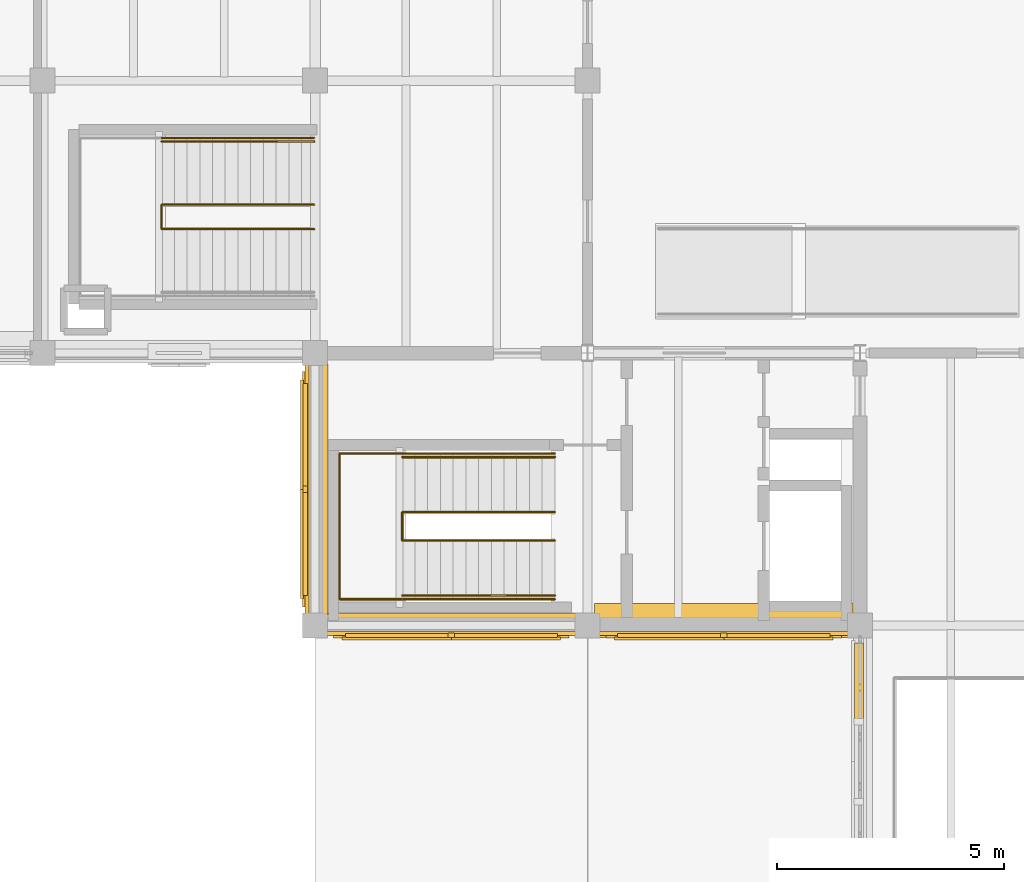
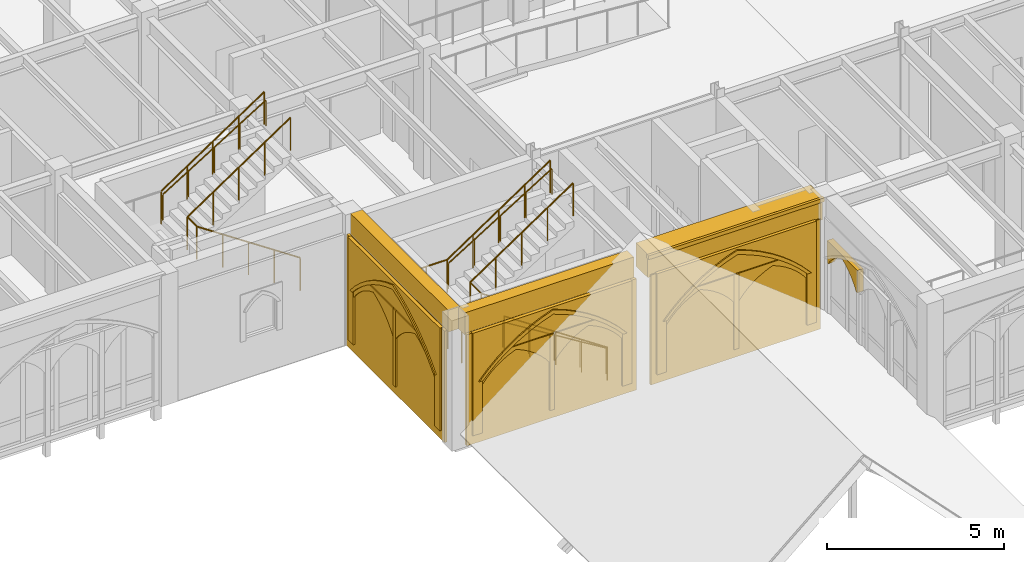
# One storey, part 93 of 108: 23 coverings, 9 railings.
"""IFC4 building model written with IfcOpenShell, lengths in metres."""

import ifcopenshell
import ifcopenshell.guid

model = None  # the IFC model being written
_history = None  # IfcOwnerHistory: only IFC2X3 demands one
_inside = {}  # id of a spatial element -> (the spatial element, [elements in it])
_under = {}  # id of a project, library or spatial element -> (it, [spatial elements below it])
_declared = {}  # id of a project -> (the project, [libraries it declares])
_typed = {}  # id of a type object -> (the type object, [elements of that type])
_made_of = {}  # id of a material, layer set ... -> (it, [elements and type objects made of it])


def new_model(schema):
    """Start an empty IFC model of exactly this schema.

    Asked for "IFC4X3", IfcOpenShell would pick the latest addendum, in which some entities
    have other attributes; the version numbers below select the first issue.
    IFC2X3 requires an IfcOwnerHistory on every rooted entity: one is made here for all.
    """
    global model, _history
    if schema == "IFC4X3":
        model = ifcopenshell.file(schema_version=(4, 3, 0, 0))
    else:
        model = ifcopenshell.file(schema=schema)
    _inside.clear()
    _under.clear()
    _declared.clear()
    _typed.clear()
    _made_of.clear()
    _history = None
    if model.schema == "IFC2X3":
        org = make("IfcOrganization", Name="unknown")
        user = make(
            "IfcPersonAndOrganization",
            ThePerson=make("IfcPerson", FamilyName="unknown"),
            TheOrganization=org,
        )
        app = make(
            "IfcApplication",
            ApplicationDeveloper=org,
            Version="unknown",
            ApplicationFullName="unknown",
            ApplicationIdentifier="unknown",
        )
        _history = make(
            "IfcOwnerHistory",
            OwningUser=user,
            OwningApplication=app,
            ChangeAction="ADDED",
            CreationDate=0,
        )
    return model


def make(cls, **values):
    """One entity of the class cls with the attributes given. An attribute that is None is left unset."""
    return model.create_entity(
        cls, **{name: value for name, value in values.items() if value is not None}
    )


def rooted(cls, **values):
    """An entity with a GlobalId (a new one), such as an element, a storey or a relation."""
    return make(cls, GlobalId=ifcopenshell.guid.new(), OwnerHistory=_history, **values)


def si_unit(unit_type, name, prefix=None):
    """IfcSIUnit, for example si_unit("LENGTHUNIT", "METRE", prefix="MILLI")."""
    return make("IfcSIUnit", UnitType=unit_type, Prefix=prefix, Name=name)


def assignment(units):
    """IfcUnitAssignment: the units of a project."""
    return None if units is None else make("IfcUnitAssignment", Units=units)


def point(xyz):
    """IfcCartesianPoint."""
    return None if xyz is None else make("IfcCartesianPoint", Coordinates=xyz)


def direction(xyz):
    """IfcDirection."""
    return None if xyz is None else make("IfcDirection", DirectionRatios=xyz)


def frame(location, z_axis=None, x_axis=None):
    """IfcAxis2Placement3D, a coordinate frame: its origin and axes. An axis left out is left unset."""
    return make(
        "IfcAxis2Placement3D",
        Location=point(location),
        Axis=direction(z_axis),
        RefDirection=direction(x_axis),
    )


def frame_2d(location, x_axis=None):
    """IfcAxis2Placement2D, a coordinate frame in the plane: its origin and x axis."""
    return make(
        "IfcAxis2Placement2D", Location=point(location), RefDirection=direction(x_axis)
    )


def origin():
    """The frame at (0, 0, 0) with its axes left unset."""
    return frame((0.0, 0.0, 0.0))


def origin_2d():
    """The frame at (0, 0) in the plane with its x axis left unset."""
    return frame_2d((0.0, 0.0))


def place(relative_to, where):
    """IfcLocalPlacement: puts the frame where relative to a parent placement (None: the world)."""
    return make(
        "IfcLocalPlacement", PlacementRelTo=relative_to, RelativePlacement=where
    )


def context(
    kind, dimensions, precision=None, world=None, true_north=None, identifier=None
):
    """IfcGeometricRepresentationContext, for example the 3D "Model" context."""
    return make(
        "IfcGeometricRepresentationContext",
        ContextIdentifier=identifier,
        ContextType=kind,
        CoordinateSpaceDimension=dimensions,
        Precision=precision,
        WorldCoordinateSystem=world,
        TrueNorth=true_north,
    )


def subcontext(parent, identifier, kind, view, scale=None):
    """IfcGeometricRepresentationSubContext, for example "Body" below "Model"."""
    return make(
        "IfcGeometricRepresentationSubContext",
        ContextIdentifier=identifier,
        ContextType=kind,
        ParentContext=parent,
        TargetScale=scale,
        TargetView=view,
    )


def project(units=None, contexts=None):
    """IfcProject with its units and contexts."""
    return rooted(
        "IfcProject",
        Name="project",
        RepresentationContexts=contexts,
        UnitsInContext=assignment(units),
    )


def spatial(cls, under=None, at=None, **own):
    """A site, building, storey or space (cls), placed at a placement, below another one or the project."""
    s = rooted(cls, ObjectPlacement=at, **own)
    if under is not None:
        _under.setdefault(under.id(), (under, []))[1].append(s)
    return s


def polyline(points):
    """IfcPolyline through the points."""
    return make("IfcPolyline", Points=[point(p) for p in points])


def profile(cls, at=None, kind="AREA", **sizes):
    """A parametric profile (cls). Its sizes go by their IFC names, for example OverallWidth=200.0."""
    return make(cls, ProfileType=kind, Position=at, **sizes)


def rectangle(**sizes):
    """IfcRectangleProfileDef."""
    return profile("IfcRectangleProfileDef", **sizes)


def circle(**sizes):
    """IfcCircleProfileDef."""
    return profile("IfcCircleProfileDef", **sizes)


def outline(outer, holes=None, kind="AREA"):
    """IfcArbitraryClosedProfileDef: a profile drawn as a closed curve; with holes, ...WithVoids."""
    if holes is None:
        return make("IfcArbitraryClosedProfileDef", ProfileType=kind, OuterCurve=outer)
    return make(
        "IfcArbitraryProfileDefWithVoids",
        ProfileType=kind,
        OuterCurve=outer,
        InnerCurves=holes,
    )


def extrude(swept, where, along, depth):
    """IfcExtrudedAreaSolid: the profile swept, set in the frame where, extruded along a direction by depth."""
    return make(
        "IfcExtrudedAreaSolid",
        SweptArea=swept,
        Position=where,
        ExtrudedDirection=direction(along),
        Depth=depth,
    )


def shape(context_of_items, identifier, shape_type, items):
    """IfcShapeRepresentation: the items that make up one representation, for example the "Body"."""
    return make(
        "IfcShapeRepresentation",
        ContextOfItems=context_of_items,
        RepresentationIdentifier=identifier,
        RepresentationType=shape_type,
        Items=items,
    )


def material(Name=None, Category=None):
    """IfcMaterial."""
    return make("IfcMaterial", Name=Name, Category=Category)


def made_of(thing, what):
    """Note that an element or type object is made of a material, layer set ...; save() writes the relation."""
    if what is not None:
        _made_of.setdefault(what.id(), (what, []))[1].append(thing)
    return thing


def type_object(cls, material=None, **own):
    """A type object (cls), such as IfcWallType, which elements share."""
    return made_of(rooted(cls, **own), material)


def element(
    cls,
    number,
    at=None,
    inside=None,
    cuts=None,
    type_object=None,
    material=None,
    context=None,
    identifier="Body",
    shape_type=None,
    held_by="IfcProductDefinitionShape",
    body=None,
    shapes=None,
    **own,
):
    """One element of the class cls, such as IfcWall. Its Tag is "e" and its number.

    at: its placement. inside: the storey or other place that contains it. cuts: it is an
    opening in that element (IfcRelVoidsElement). A single representation is given by context,
    identifier, shape_type and body (its items); several are given by shapes. held_by: the class
    of the entity that holds the representations. save() writes the other relations.
    """
    e = rooted(cls, Tag="e%d" % number, ObjectPlacement=at, **own)
    if body is not None:
        shapes = [shape(context, identifier, shape_type, body)]
    if shapes is not None:
        e.Representation = make(held_by, Representations=shapes)
    if inside is not None:
        _inside.setdefault(inside.id(), (inside, []))[1].append(e)
    if cuts is not None:
        rooted(
            "IfcRelVoidsElement", RelatingBuildingElement=cuts, RelatedOpeningElement=e
        )
    if type_object is not None:
        _typed.setdefault(type_object.id(), (type_object, []))[1].append(e)
    return made_of(e, material)


def aggregate(whole, parts):
    """IfcRelAggregates: a whole, such as a stair, and the parts it consists of."""
    return rooted("IfcRelAggregates", RelatingObject=whole, RelatedObjects=parts)


def save(model, path):
    """Write the relations noted so far, then the file.

    IfcRelAggregates (storeys below a building ...), IfcRelContainedInSpatialStructure (elements
    in a storey), IfcRelDefinesByType, IfcRelAssociatesMaterial and IfcRelDeclares: one each for
    every whole, place, type object, material and project.
    """
    for whole, parts in _under.values():
        aggregate(whole, parts)
    for where, things in _inside.values():
        rooted(
            "IfcRelContainedInSpatialStructure",
            RelatedElements=things,
            RelatingStructure=where,
        )
    for kind, things in _typed.values():
        rooted("IfcRelDefinesByType", RelatedObjects=things, RelatingType=kind)
    for what, things in _made_of.values():
        rooted("IfcRelAssociatesMaterial", RelatedObjects=things, RelatingMaterial=what)
    for by, libraries in _declared.values():
        rooted("IfcRelDeclares", RelatingContext=by, RelatedDefinitions=libraries)
    model.write(path)


model = new_model("IFC4")

# Units and contexts
model_context = context("Model", 3, precision=1e-05, world=origin(), true_north=direction((0.0, 1.0)))
body_context = subcontext(model_context, "Body", "Model", "MODEL_VIEW")
ifc_project = project(units=[si_unit("LENGTHUNIT", "METRE"), si_unit("AREAUNIT", "SQUARE_METRE"), si_unit("VOLUMEUNIT", "CUBIC_METRE"), si_unit("PLANEANGLEUNIT", "RADIAN"), si_unit("MASSUNIT", "GRAM", prefix="KILO")], contexts=[model_context])

# Site, building, storey
site_placement = place(None, origin())
site = spatial("IfcSite", under=ifc_project, at=site_placement, CompositionType="ELEMENT")
building_placement = place(site_placement, origin())
building = spatial("IfcBuilding", under=site, at=building_placement, Name="Cumevento Cable Car Station", CompositionType="ELEMENT")
storey_placement = place(building_placement, frame((0.0, 0.0, 13.5)))
storey = spatial("IfcBuildingStorey", under=building, at=storey_placement, Name="L04", CompositionType="ELEMENT", Elevation=13.5)

# Railings
ifc_material_1 = material(Name="Painted Galvanised Architectural Steel", Category="steel")
railing_type_1 = type_object("IfcRailingType", Name="Stair Guardrail GR-S115", PredefinedType="GUARDRAIL", material=ifc_material_1)
railing_1_placement = place(storey_placement, frame((63.280029296875, 40.8701171875, 0.0)))
element("IfcRailing", 1, at=railing_1_placement, inside=storey, type_object=railing_type_1, Name="Stair Well Inner Guardrail ST-01-L04", PredefinedType="GUARDRAIL", context=body_context, shape_type="SweptSolid", body=[
    extrude(circle(Radius=0.02392578125, at=origin_2d()), frame((0.0, 0.0, 1.1259765625), z_axis=(-0.830915400975, 0.0, 0.556398774641), x_axis=(0.0, -1.0, 0.0)), (0.0, 0.0, 1.0), 4.0439453125),
    extrude(circle(Radius=0.02392578125, at=origin_2d()), frame((-3.360107421875, 0.0, 3.3759765625), z_axis=(0.0, 1.0, 0.0), x_axis=(-1.0, 0.0, 0.0)), (0.0, 0.0, 1.0), 0.6298828125),
    extrude(circle(Radius=0.02392578125, at=origin_2d()), frame((-3.360107421875, 0.6298828125, 3.3759765625), z_axis=(0.830915400975, 0.0, 0.556398774641), x_axis=(0.0, 1.0, 0.0)), (0.0, 0.0, 1.0), 4.0439453125),
    extrude(circle(Radius=0.02001953125, at=origin_2d()), origin(), (0.0, 0.0, 1.0), 1.101806640625),
    extrude(circle(Radius=0.02001953125, at=origin_2d()), frame((-0.840087890625, 0.0, 0.5625)), (0.0, 0.0, 1.0), 1.101806640625),
    extrude(circle(Radius=0.02001953125, at=origin_2d()), frame((-1.68017578125, 0.0, 1.125)), (0.0, 0.0, 1.0), 1.101806640625),
    extrude(circle(Radius=0.02001953125, at=origin_2d()), frame((-2.52001953125, 0.0, 1.6875)), (0.0, 0.0, 1.0), 1.101806640625),
    extrude(circle(Radius=0.02001953125, at=origin_2d()), frame((-3.360107421875, 0.0, 2.25)), (0.0, 0.0, 1.0), 1.101806640625),
    extrude(circle(Radius=0.02001953125, at=origin_2d()), frame((-3.360107421875, 0.6298828125, 2.25)), (0.0, 0.0, 1.0), 1.101806640625),
    extrude(circle(Radius=0.02001953125, at=origin_2d()), frame((-2.52001953125, 0.6298828125, 2.8125)), (0.0, 0.0, 1.0), 1.101806640625),
    extrude(circle(Radius=0.02001953125, at=origin_2d()), frame((-1.68017578125, 0.6298828125, 3.375)), (0.0, 0.0, 1.0), 1.101806640625),
    extrude(circle(Radius=0.02001953125, at=origin_2d()), frame((-0.840087890625, 0.6298828125, 3.9375)), (0.0, 0.0, 1.0), 1.101806640625),
    extrude(circle(Radius=0.02001953125, at=origin_2d()), frame((0.0, 0.6298828125, 4.5)), (0.0, 0.0, 1.0), 1.101806640625),
])
railing_2_placement = place(storey_placement, frame((59.919921875, 39.580078125, 2.25)))
element("IfcRailing", 2, at=railing_2_placement, inside=storey, type_object=railing_type_1, Name="Stair Half-Landing Guardrail ST-01-L04", PredefinedType="GUARDRAIL", context=body_context, shape_type="SweptSolid", body=[
    extrude(circle(Radius=0.02392578125, at=origin_2d()), frame((0.0, 0.0, 1.1259765625), z_axis=(-1.0, 0.0, 0.0), x_axis=(0.0, -1.0, 0.0)), (0.0, 0.0, 1.0), 1.3798828125),
    extrude(circle(Radius=0.02392578125, at=origin_2d()), frame((-1.3798828125, 0.0, 1.1259765625), z_axis=(0.0, 1.0, 0.0), x_axis=(-1.0, 0.0, 0.0)), (0.0, 0.0, 1.0), 3.2099609375),
    extrude(circle(Radius=0.02392578125, at=origin_2d()), frame((-1.3798828125, 3.2099609375, 1.1259765625), z_axis=(1.0, 0.0, 0.0), x_axis=(0.0, 1.0, 0.0)), (0.0, 0.0, 1.0), 1.3798828125),
    extrude(circle(Radius=0.02001953125, at=origin_2d()), origin(), (0.0, 0.0, 1.0), 1.101806640625),
    extrude(circle(Radius=0.02001953125, at=origin_2d()), frame((-0.68994140625, 0.0, 0.0)), (0.0, 0.0, 1.0), 1.101806640625),
    extrude(circle(Radius=0.02001953125, at=origin_2d()), frame((-1.3798828125, 0.0, 0.0)), (0.0, 0.0, 1.0), 1.101806640625),
    extrude(circle(Radius=0.02001953125, at=origin_2d()), frame((-1.3798828125, 0.802490234375, 0.0)), (0.0, 0.0, 1.0), 1.101806640625),
    extrude(circle(Radius=0.02001953125, at=origin_2d()), frame((-1.3798828125, 1.60498046875, 0.0)), (0.0, 0.0, 1.0), 1.101806640625),
    extrude(circle(Radius=0.02001953125, at=origin_2d()), frame((-1.3798828125, 2.407470703125, 0.0)), (0.0, 0.0, 1.0), 1.101806640625),
    extrude(circle(Radius=0.02001953125, at=origin_2d()), frame((-1.3798828125, 3.2099609375, 0.0)), (0.0, 0.0, 1.0), 1.101806640625),
    extrude(circle(Radius=0.02001953125, at=origin_2d()), frame((-0.68994140625, 3.2099609375, 0.0)), (0.0, 0.0, 1.0), 1.101806640625),
    extrude(circle(Radius=0.02001953125, at=origin_2d()), frame((0.0, 3.2099609375, 0.0)), (0.0, 0.0, 1.0), 1.101806640625),
])
railing_3_placement = place(storey_placement, frame((63.280029296875, 39.580078125, 0.0)))
element("IfcRailing", 3, at=railing_3_placement, inside=storey, type_object=railing_type_1, Name="Stair Outer Guardrail ST-01-L04 F1", PredefinedType="GUARDRAIL", context=body_context, shape_type="SweptSolid", body=[
    extrude(circle(Radius=0.02392578125, at=origin_2d()), frame((0.0, 0.0, 1.1259765625), z_axis=(-0.830915400975, 0.0, 0.556398774641), x_axis=(0.0, -1.0, 0.0)), (0.0, 0.0, 1.0), 4.0439453125),
    extrude(circle(Radius=0.02001953125, at=origin_2d()), origin(), (0.0, 0.0, 1.0), 1.101806640625),
    extrude(circle(Radius=0.02001953125, at=origin_2d()), frame((-0.840087890625, 0.0, 0.5625)), (0.0, 0.0, 1.0), 1.101806640625),
    extrude(circle(Radius=0.02001953125, at=origin_2d()), frame((-1.68017578125, 0.0, 1.125)), (0.0, 0.0, 1.0), 1.101806640625),
    extrude(circle(Radius=0.02001953125, at=origin_2d()), frame((-2.52001953125, 0.0, 1.6875)), (0.0, 0.0, 1.0), 1.101806640625),
    extrude(circle(Radius=0.02001953125, at=origin_2d()), frame((-3.360107421875, 0.0, 2.25)), (0.0, 0.0, 1.0), 1.101806640625),
])
railing_4_placement = place(storey_placement, frame((59.919921875, 42.7900390625, 2.25)))
element("IfcRailing", 4, at=railing_4_placement, inside=storey, type_object=railing_type_1, Name="Stair Outer Guardrail ST-01-L04 F2", PredefinedType="GUARDRAIL", context=body_context, shape_type="SweptSolid", body=[
    extrude(circle(Radius=0.02392578125, at=origin_2d()), frame((0.0, 0.0, 1.1259765625), z_axis=(0.830915400975, 0.0, 0.556398774641), x_axis=(0.0, 1.0, 0.0)), (0.0, 0.0, 1.0), 4.0439453125),
    extrude(circle(Radius=0.02001953125, at=origin_2d()), origin(), (0.0, 0.0, 1.0), 1.101806640625),
    extrude(circle(Radius=0.02001953125, at=origin_2d()), frame((0.840087890625, 0.0, 0.5625)), (0.0, 0.0, 1.0), 1.101806640625),
    extrude(circle(Radius=0.02001953125, at=origin_2d()), frame((1.68017578125, 0.0, 1.125)), (0.0, 0.0, 1.0), 1.101806640625),
    extrude(circle(Radius=0.02001953125, at=origin_2d()), frame((2.52001953125, 0.0, 1.6875)), (0.0, 0.0, 1.0), 1.101806640625),
    extrude(circle(Radius=0.02001953125, at=origin_2d()), frame((3.360107421875, 0.0, 2.25)), (0.0, 0.0, 1.0), 1.101806640625),
])
railing_5_placement = place(storey_placement, frame((57.97998046875, 47.72998046875, 0.0)))
element("IfcRailing", 5, at=railing_5_placement, inside=storey, type_object=railing_type_1, Name="Stair Well Inner Guardrail ST-13", PredefinedType="GUARDRAIL", context=body_context, shape_type="SweptSolid", body=[
    extrude(circle(Radius=0.02392578125, at=origin_2d()), frame((0.0, 0.0, 1.1259765625), z_axis=(-0.830896709279, 0.0, 0.556426687452), x_axis=(0.0, -1.0, 0.0)), (0.0, 0.0, 1.0), 4.043701171875),
    extrude(circle(Radius=0.02392578125, at=origin_2d()), frame((-3.35986328125, 0.0, 3.3759765625), z_axis=(0.0, 1.0, 0.0), x_axis=(-1.0, 0.0, 0.0)), (0.0, 0.0, 1.0), 0.5400390625),
    extrude(circle(Radius=0.02392578125, at=origin_2d()), frame((-3.35986328125, 0.5400390625, 3.3759765625), z_axis=(0.830896709279, 0.0, 0.556426687452), x_axis=(0.0, 1.0, 0.0)), (0.0, 0.0, 1.0), 4.043701171875),
    extrude(circle(Radius=0.02001953125, at=origin_2d()), origin(), (0.0, 0.0, 1.0), 1.101806640625),
    extrude(circle(Radius=0.02001953125, at=origin_2d()), frame((-0.83984375, 0.0, 0.5625)), (0.0, 0.0, 1.0), 1.101806640625),
    extrude(circle(Radius=0.02001953125, at=origin_2d()), frame((-1.679931640625, 0.0, 1.125)), (0.0, 0.0, 1.0), 1.101806640625),
    extrude(circle(Radius=0.02001953125, at=origin_2d()), frame((-2.52001953125, 0.0, 1.6875)), (0.0, 0.0, 1.0), 1.101806640625),
    extrude(circle(Radius=0.02001953125, at=origin_2d()), frame((-3.35986328125, 0.0, 2.25)), (0.0, 0.0, 1.0), 1.101806640625),
    extrude(circle(Radius=0.02001953125, at=origin_2d()), frame((-3.35986328125, 0.5400390625, 2.25)), (0.0, 0.0, 1.0), 1.101806640625),
    extrude(circle(Radius=0.02001953125, at=origin_2d()), frame((-2.52001953125, 0.5400390625, 2.8125)), (0.0, 0.0, 1.0), 1.101806640625),
    extrude(circle(Radius=0.02001953125, at=origin_2d()), frame((-1.679931640625, 0.5400390625, 3.375)), (0.0, 0.0, 1.0), 1.101806640625),
    extrude(circle(Radius=0.02001953125, at=origin_2d()), frame((-0.83984375, 0.5400390625, 3.9375)), (0.0, 0.0, 1.0), 1.101806640625),
    extrude(circle(Radius=0.02001953125, at=origin_2d()), frame((0.0, 0.5400390625, 4.5)), (0.0, 0.0, 1.0), 1.101806640625),
])
railing_6_placement = place(storey_placement, frame((54.6201171875, 49.739990234375, 2.25)))
element("IfcRailing", 6, at=railing_6_placement, inside=storey, type_object=railing_type_1, Name="Stair Outer Guardrail ST-13 F2", PredefinedType="GUARDRAIL", context=body_context, shape_type="SweptSolid", body=[
    extrude(circle(Radius=0.02392578125, at=origin_2d()), frame((0.0, 0.0, 1.1259765625), z_axis=(0.830896709279, 0.0, 0.556426687452), x_axis=(0.0, 1.0, 0.0)), (0.0, 0.0, 1.0), 4.043701171875),
    extrude(circle(Radius=0.02001953125, at=origin_2d()), origin(), (0.0, 0.0, 1.0), 1.101806640625),
    extrude(circle(Radius=0.02001953125, at=origin_2d()), frame((0.83984375, 0.0, 0.5625)), (0.0, 0.0, 1.0), 1.101806640625),
    extrude(circle(Radius=0.02001953125, at=origin_2d()), frame((1.679931640625, 0.0, 1.125)), (0.0, 0.0, 1.0), 1.101806640625),
    extrude(circle(Radius=0.02001953125, at=origin_2d()), frame((2.52001953125, 0.0, 1.6875)), (0.0, 0.0, 1.0), 1.101806640625),
    extrude(circle(Radius=0.02001953125, at=origin_2d()), frame((3.35986328125, 0.0, 2.25)), (0.0, 0.0, 1.0), 1.101806640625),
])
ifc_material_2 = material(Name="Brushed Stainless Steel Handrail Tube", Category="steel")
railing_type_2 = type_object("IfcRailingType", Name="Stair Handrail HR-090", PredefinedType="HANDRAIL", material=ifc_material_2)
railing_7_placement = place(storey_placement, frame((63.280029296875, 39.659912109375, 0.17626953125)))
element("IfcRailing", 7, at=railing_7_placement, inside=storey, type_object=railing_type_2, Name="Stair Pitch Handrail ST-01-L04 F1", PredefinedType="HANDRAIL", context=body_context, shape_type="SweptSolid", body=[
    extrude(circle(Radius=0.02099609375, at=origin_2d()), frame((0.0, 0.0, 0.87890625), z_axis=(-0.850623216509, 0.0, 0.525775754039), x_axis=(0.0, -1.0, 0.0)), (0.0, 0.0, 1.0), 3.9501953125),
    extrude(circle(Radius=0.01611328125, at=origin_2d()), origin(), (0.0, 0.0, 1.0), 0.85791015625),
    extrude(circle(Radius=0.01611328125, at=origin_2d()), frame((-0.840087890625, 0.0, 0.519287109375)), (0.0, 0.0, 1.0), 0.85791015625),
    extrude(circle(Radius=0.01611328125, at=origin_2d()), frame((-1.68017578125, 0.0, 1.03857421875)), (0.0, 0.0, 1.0), 0.85791015625),
    extrude(circle(Radius=0.01611328125, at=origin_2d()), frame((-2.52001953125, 0.0, 1.5576171875)), (0.0, 0.0, 1.0), 0.85791015625),
    extrude(circle(Radius=0.01611328125, at=origin_2d()), frame((-3.360107421875, 0.0, 2.076904296875)), (0.0, 0.0, 1.0), 0.85791015625),
])
railing_8_placement = place(storey_placement, frame((59.919921875, 42.7099609375, 2.42626953125)))
element("IfcRailing", 8, at=railing_8_placement, inside=storey, type_object=railing_type_2, Name="Stair Pitch Handrail ST-01-L04 F2", PredefinedType="HANDRAIL", context=body_context, shape_type="SweptSolid", body=[
    extrude(circle(Radius=0.02099609375, at=origin_2d()), frame((0.0, 0.0, 0.87890625), z_axis=(0.850623216509, 0.0, 0.525775754039), x_axis=(0.0, 1.0, 0.0)), (0.0, 0.0, 1.0), 3.9501953125),
    extrude(circle(Radius=0.01611328125, at=origin_2d()), origin(), (0.0, 0.0, 1.0), 0.85791015625),
    extrude(circle(Radius=0.01611328125, at=origin_2d()), frame((0.840087890625, 0.0, 0.519287109375)), (0.0, 0.0, 1.0), 0.85791015625),
    extrude(circle(Radius=0.01611328125, at=origin_2d()), frame((1.68017578125, 0.0, 1.03857421875)), (0.0, 0.0, 1.0), 0.85791015625),
    extrude(circle(Radius=0.01611328125, at=origin_2d()), frame((2.52001953125, 0.0, 1.5576171875)), (0.0, 0.0, 1.0), 0.85791015625),
    extrude(circle(Radius=0.01611328125, at=origin_2d()), frame((3.360107421875, 0.0, 2.076904296875)), (0.0, 0.0, 1.0), 0.85791015625),
])
railing_9_placement = place(storey_placement, frame((54.6201171875, 49.659912109375, 2.42626953125)))
element("IfcRailing", 9, at=railing_9_placement, inside=storey, type_object=railing_type_2, Name="Stair Pitch Handrail ST-13 F2", PredefinedType="HANDRAIL", context=body_context, shape_type="SweptSolid", body=[
    extrude(circle(Radius=0.02099609375, at=origin_2d()), frame((0.0, 0.0, 0.87890625), z_axis=(0.850606129759, 0.0, 0.525803396734), x_axis=(0.0, 1.0, 0.0)), (0.0, 0.0, 1.0), 3.949951171875),
    extrude(circle(Radius=0.01611328125, at=origin_2d()), origin(), (0.0, 0.0, 1.0), 0.85791015625),
    extrude(circle(Radius=0.01611328125, at=origin_2d()), frame((0.83984375, 0.0, 0.519287109375)), (0.0, 0.0, 1.0), 0.85791015625),
    extrude(circle(Radius=0.01611328125, at=origin_2d()), frame((1.679931640625, 0.0, 1.03857421875)), (0.0, 0.0, 1.0), 0.85791015625),
    extrude(circle(Radius=0.01611328125, at=origin_2d()), frame((2.52001953125, 0.0, 1.5576171875)), (0.0, 0.0, 1.0), 0.85791015625),
    extrude(circle(Radius=0.01611328125, at=origin_2d()), frame((3.35986328125, 0.0, 2.076904296875)), (0.0, 0.0, 1.0), 0.85791015625),
])

# Coverings
ifc_material_3 = material(Name="Gnaisse Facoidal Stone Ashlar 85 MPa", Category="masonry")
covering_type = type_object("IfcCoveringType", Name="Gnaisse Ashlar Cladding CV-CL01", PredefinedType="CLADDING", material=ifc_material_3)
covering_1_placement = place(storey_placement, frame((61.0, 39.090087890625, 3.73095703125), z_axis=(0.0, 0.0, 1.0), x_axis=(-1.0, 0.0, 0.0)))
element("IfcCovering", 10, at=covering_1_placement, inside=storey, type_object=covering_type, Name="Gothic Stone Spandrel Stringcourse sc:0698", PredefinedType="CLADDING", context=body_context, shape_type="SweptSolid", body=[
    extrude(rectangle(XDim=5.510009765625, YDim=0.3798828125, at=origin_2d()), origin(), (0.0, 0.0, 1.0), 0.7529296875),
])
covering_2_placement = place(storey_placement, frame((67.0, 39.14990234375, 3.68115234375), z_axis=(0.0, 0.0, 1.0), x_axis=(-1.0, 0.0, 0.0)))
element("IfcCovering", 11, at=covering_2_placement, inside=storey, type_object=covering_type, Name="Gothic Stone Spandrel Stringcourse sc:0699", PredefinedType="CLADDING", context=body_context, shape_type="SweptSolid", body=[
    extrude(rectangle(XDim=5.68994140625, YDim=0.659912109375, at=origin_2d()), origin(), (0.0, 0.0, 1.0), 0.802978515625),
])
covering_3_placement = place(storey_placement, frame((67.0, 38.79248046875, 4.35400390625), z_axis=(0.0, 0.0, 1.0), x_axis=(-1.0, 0.0, 0.0)))
element("IfcCovering", 12, at=covering_3_placement, inside=storey, type_object=covering_type, Name="Gothic Cornice Dripstone Lip sc:0699", PredefinedType="CLADDING", context=body_context, shape_type="SweptSolid", body=[
    extrude(rectangle(XDim=5.72998046875, YDim=0.114990234375, at=origin_2d()), origin(), (0.0, 0.0, 1.0), 0.1298828125),
])
covering_4_placement = place(storey_placement, frame((58.090087890625, 42.0, 3.737060546875), z_axis=(0.0, 0.0, 1.0), x_axis=(0.0, 1.0, 0.0)))
element("IfcCovering", 13, at=covering_4_placement, inside=storey, type_object=covering_type, Name="Gothic Stone Spandrel Stringcourse sc:0700", PredefinedType="CLADDING", context=body_context, shape_type="SweptSolid", body=[
    extrude(rectangle(XDim=5.510009765625, YDim=0.3798828125, at=origin_2d()), origin(), (0.0, 0.0, 1.0), 0.7470703125),
])
covering_5_placement = place(storey_placement, frame((70.0, 36.925048828125, 2.311767578125), z_axis=(0.0, 0.0, 1.0), x_axis=(0.0, 1.0, 0.0)))
element("IfcCovering", 14, at=covering_5_placement, inside=storey, type_object=covering_type, Name="Gothic Ogival Pointed-Arch Stone Spandrel cw_ogival:0146:sub:2", PredefinedType="CLADDING", context=body_context, shape_type="SweptSolid", body=[
    extrude(outline(polyline([(-0.02001953125, 0.0), (-0.02001953125, 0.7705078125), (1.68994140625, 0.7705078125), (1.68994140625, 0.0), (1.6298828125, 0.0), (1.528564453125, 0.141357421875), (1.412841796875, 0.271240234375), (1.2841796875, 0.388427734375), (1.143798828125, 0.491455078125), (0.99365234375, 0.5791015625), (0.8349609375, 0.650390625), (0.67626953125, 0.5791015625), (0.526123046875, 0.491455078125), (0.3857421875, 0.388427734375), (0.257080078125, 0.271240234375), (0.141357421875, 0.141357421875), (0.0400390625, 0.0), (-0.02001953125, 0.0)])), frame((0.0, 0.1240234375, 0.0), z_axis=(0.0, -1.0, 0.0), x_axis=(1.0, 0.0, 0.0)), (0.0, 0.0, 1.0), 0.199951171875),
])
covering_6_placement = place(storey_placement, frame((63.72509765625, 39.0, 0.0), z_axis=(0.0, 0.0, 1.0), x_axis=(-1.0, 0.0, 0.0)))
element("IfcCovering", 15, at=covering_6_placement, inside=storey, type_object=covering_type, Name="Exterior Gnaisse Stone Wall Ashlar #263", PredefinedType="CLADDING", context=body_context, shape_type="SweptSolid", body=[
    extrude(outline(polyline([(-0.0400390625, -0.02001953125), (5.489990234375, -0.02001953125), (5.489990234375, 3.81103515625), (-0.0400390625, 3.81103515625), (-0.0400390625, -0.02001953125)])), frame((0.0, 0.222412109375, 0.0), z_axis=(0.0, -1.0, 0.0), x_axis=(1.0, 0.0, 0.0)), (0.0, 0.0, 1.0), 0.0849609375),
])
placement_1 = place(storey_placement, frame((63.544921875, 39.0, 0.300048828125), z_axis=(0.0, 0.0, 1.0), x_axis=(-1.0, 0.0, 0.0)))
element("IfcCovering", 16, at=placement_1, inside=storey, type_object=covering_type, Name="Gothic Ogival Pointed-Arch Stone Spandrel blind_ogival:0263", PredefinedType="CLADDING", context=body_context, shape_type="SweptSolid", body=[
    extrude(outline(polyline([(-0.050048828125, 0.0), (-0.050048828125, 3.531005859375), (5.139892578125, 3.531005859375), (5.139892578125, 0.0), (4.830078125, 0.0), (4.830078125, 1.822998046875), (4.556884765625, 2.10693359375), (4.262939453125, 2.369384765625), (3.949951171875, 2.60888671875), (3.619873046875, 2.823974609375), (3.274169921875, 3.013427734375), (2.915283203125, 3.176025390625), (2.544921875, 3.31103515625), (2.1748046875, 3.176025390625), (1.81591796875, 3.013427734375), (1.47021484375, 2.823974609375), (1.14013671875, 2.60888671875), (0.8271484375, 2.369384765625), (0.533203125, 2.10693359375), (0.260009765625, 1.822998046875), (0.260009765625, 0.0), (-0.050048828125, 0.0)])), frame((0.0, 0.277587890625, 0.0), z_axis=(0.0, -1.0, 0.0), x_axis=(1.0, 0.0, 0.0)), (0.0, 0.0, 1.0), 0.110107421875),
])
covering_8_placement = place(storey_placement, frame((63.544921875, 39.0, 2.123046875), z_axis=(0.0, 0.0, 1.0), x_axis=(-1.0, 0.0, 0.0)))
element("IfcCovering", 17, at=covering_8_placement, inside=storey, type_object=covering_type, Name="Gothic Pointed Archivolt Hood Moulding blind_ogival:0263", PredefinedType="CLADDING", context=body_context, shape_type="SweptSolid", body=[
    extrude(outline(polyline([(0.260009765625, 0.0), (0.533203125, 0.283935546875), (0.8271484375, 0.54638671875), (1.14013671875, 0.785888671875), (1.47021484375, 1.0009765625), (1.81591796875, 1.1904296875), (2.1748046875, 1.35302734375), (2.544921875, 1.488037109375), (2.915283203125, 1.35302734375), (3.274169921875, 1.1904296875), (3.619873046875, 1.0009765625), (3.949951171875, 0.785888671875), (4.262939453125, 0.54638671875), (4.556884765625, 0.283935546875), (4.830078125, 0.0), (4.950927734375, 0.0), (4.668212890625, 0.311767578125), (4.361572265625, 0.6005859375), (4.033203125, 0.8642578125), (3.685302734375, 1.101318359375), (3.319580078125, 1.310302734375), (2.93896484375, 1.489990234375), (2.544921875, 1.63916015625), (2.151123046875, 1.489990234375), (1.7705078125, 1.310302734375), (1.40478515625, 1.101318359375), (1.056884765625, 0.8642578125), (0.728515625, 0.6005859375), (0.421875, 0.311767578125), (0.138916015625, 0.0), (0.260009765625, 0.0)])), frame((0.0, 0.319580078125, 0.0), z_axis=(0.0, -1.0, 0.0), x_axis=(1.0, 0.0, 0.0)), (0.0, 0.0, 1.0), 0.06689453125),
])
element("IfcCovering", 18, at=placement_1, inside=storey, type_object=covering_type, Name="Gothic Bifora Stone Colonnette blind_ogival:0263 #1", PredefinedType="CLADDING", context=body_context, shape_type="SweptSolid", body=[
    extrude(outline(polyline([(2.469970703125, -0.02001953125), (2.6201171875, -0.02001953125), (2.6201171875, 2.5966796875), (2.469970703125, 2.5966796875), (2.469970703125, -0.02001953125)])), frame((0.0, 0.265380859375, 0.0), z_axis=(0.0, -1.0, 0.0), x_axis=(1.0, 0.0, 0.0)), (0.0, 0.0, 1.0), 0.094970703125),
])
for number, where, z_axis, x_axis, name in (
    (19, (63.31494140625, 39.0, 1.943115234375), (0.0, 0.0, 1.0), (-1.0, 0.0, 0.0), "Gothic Ogival Pointed-Arch Stone Spandrel blind_ogival:0263:sub:0"),
    (20, (60.955078125, 39.0, 1.943115234375), (0.0, 0.0, 1.0), (-1.0, 0.0, 0.0), "Gothic Ogival Pointed-Arch Stone Spandrel blind_ogival:0263:sub:1"),
):
    element("IfcCovering", number, at=place(storey_placement, frame(where, z_axis=z_axis, x_axis=x_axis)), inside=storey, type_object=covering_type, Name=name, PredefinedType="CLADDING", context=body_context, shape_type="SweptSolid", body=[
        extrude(outline(polyline([(-0.02001953125, 0.0), (-0.02001953125, 0.953857421875), (2.2900390625, 0.953857421875), (2.2900390625, 0.0), (2.22998046875, 0.0), (2.08544921875, 0.182373046875), (1.92333984375, 0.349365234375), (1.745361328125, 0.49951171875), (1.553466796875, 0.631103515625), (1.349365234375, 0.742919921875), (1.135009765625, 0.833740234375), (0.920654296875, 0.742919921875), (0.716552734375, 0.631103515625), (0.524658203125, 0.49951171875), (0.3466796875, 0.349365234375), (0.1845703125, 0.182373046875), (0.0400390625, 0.0), (-0.02001953125, 0.0)])), frame((0.0, 0.261474609375, 0.0), z_axis=(0.0, -1.0, 0.0), x_axis=(1.0, 0.0, 0.0)), (0.0, 0.0, 1.0), 0.090087890625),
    ])
covering_10_placement = place(storey_placement, frame((69.72509765625, 39.0, 0.0), z_axis=(0.0, 0.0, 1.0), x_axis=(-1.0, 0.0, 0.0)))
element("IfcCovering", 21, at=covering_10_placement, inside=storey, type_object=covering_type, Name="Exterior Gnaisse Stone Wall Ashlar #264", PredefinedType="CLADDING", context=body_context, shape_type="SweptSolid", body=[
    extrude(outline(polyline([(-0.0400390625, -0.02001953125), (5.489990234375, -0.02001953125), (5.489990234375, 3.760986328125), (-0.0400390625, 3.760986328125), (-0.0400390625, -0.02001953125)])), frame((0.0, 0.222412109375, 0.0), z_axis=(0.0, -1.0, 0.0), x_axis=(1.0, 0.0, 0.0)), (0.0, 0.0, 1.0), 0.0849609375),
])
placement_2 = place(storey_placement, frame((69.544921875, 39.0, 0.300048828125), z_axis=(0.0, 0.0, 1.0), x_axis=(-1.0, 0.0, 0.0)))
element("IfcCovering", 22, at=placement_2, inside=storey, type_object=covering_type, Name="Gothic Ogival Pointed-Arch Stone Spandrel blind_ogival:0264", PredefinedType="CLADDING", context=body_context, shape_type="SweptSolid", body=[
    extrude(outline(polyline([(-0.050048828125, 0.0), (-0.050048828125, 3.48095703125), (5.139892578125, 3.48095703125), (5.139892578125, 0.0), (4.830078125, 0.0), (4.830078125, 1.794921875), (4.555419921875, 2.074951171875), (4.2607421875, 2.333740234375), (3.947509765625, 2.569580078125), (3.6171875, 2.781494140625), (3.272216796875, 2.968017578125), (2.9140625, 3.12841796875), (2.544921875, 3.260986328125), (2.176025390625, 3.12841796875), (1.81787109375, 2.968017578125), (1.472900390625, 2.781494140625), (1.142578125, 2.569580078125), (0.829345703125, 2.333740234375), (0.53466796875, 2.074951171875), (0.260009765625, 1.794921875), (0.260009765625, 0.0), (-0.050048828125, 0.0)])), frame((0.0, 0.277587890625, 0.0), z_axis=(0.0, -1.0, 0.0), x_axis=(1.0, 0.0, 0.0)), (0.0, 0.0, 1.0), 0.110107421875),
])
covering_12_placement = place(storey_placement, frame((69.544921875, 39.0, 2.094970703125), z_axis=(0.0, 0.0, 1.0), x_axis=(-1.0, 0.0, 0.0)))
element("IfcCovering", 23, at=covering_12_placement, inside=storey, type_object=covering_type, Name="Gothic Pointed Archivolt Hood Moulding blind_ogival:0264", PredefinedType="CLADDING", context=body_context, shape_type="SweptSolid", body=[
    extrude(outline(polyline([(0.260009765625, 0.0), (0.53466796875, 0.280029296875), (0.829345703125, 0.538818359375), (1.142578125, 0.774658203125), (1.472900390625, 0.986572265625), (1.81787109375, 1.173095703125), (2.176025390625, 1.333251953125), (2.544921875, 1.466064453125), (2.9140625, 1.333251953125), (3.272216796875, 1.173095703125), (3.6171875, 0.986572265625), (3.947509765625, 0.774658203125), (4.2607421875, 0.538818359375), (4.555419921875, 0.280029296875), (4.830078125, 0.0), (4.950927734375, 0.0), (4.666748046875, 0.307861328125), (4.359130859375, 0.593017578125), (4.030517578125, 0.85302734375), (3.6826171875, 1.0869140625), (3.317626953125, 1.29296875), (2.937744140625, 1.47021484375), (2.544921875, 1.6171875), (2.15234375, 1.47021484375), (1.7724609375, 1.29296875), (1.407470703125, 1.0869140625), (1.0595703125, 0.85302734375), (0.73095703125, 0.593017578125), (0.42333984375, 0.307861328125), (0.138916015625, 0.0), (0.260009765625, 0.0)])), frame((0.0, 0.319580078125, 0.0), z_axis=(0.0, -1.0, 0.0), x_axis=(1.0, 0.0, 0.0)), (0.0, 0.0, 1.0), 0.06689453125),
])
element("IfcCovering", 24, at=placement_2, inside=storey, type_object=covering_type, Name="Gothic Bifora Stone Colonnette blind_ogival:0264 #1", PredefinedType="CLADDING", context=body_context, shape_type="SweptSolid", body=[
    extrude(outline(polyline([(2.469970703125, -0.02001953125), (2.6201171875, -0.02001953125), (2.6201171875, 2.557373046875), (2.469970703125, 2.557373046875), (2.469970703125, -0.02001953125)])), frame((0.0, 0.265380859375, 0.0), z_axis=(0.0, -1.0, 0.0), x_axis=(1.0, 0.0, 0.0)), (0.0, 0.0, 1.0), 0.094970703125),
])
for number, where, z_axis, x_axis, name in (
    (25, (69.31494140625, 39.0, 1.9150390625), (0.0, 0.0, 1.0), (-1.0, 0.0, 0.0), "Gothic Ogival Pointed-Arch Stone Spandrel blind_ogival:0264:sub:0"),
    (26, (66.955078125, 39.0, 1.9150390625), (0.0, 0.0, 1.0), (-1.0, 0.0, 0.0), "Gothic Ogival Pointed-Arch Stone Spandrel blind_ogival:0264:sub:1"),
):
    element("IfcCovering", number, at=place(storey_placement, frame(where, z_axis=z_axis, x_axis=x_axis)), inside=storey, type_object=covering_type, Name=name, PredefinedType="CLADDING", context=body_context, shape_type="SweptSolid", body=[
        extrude(outline(polyline([(-0.02001953125, 0.0), (-0.02001953125, 0.9423828125), (2.2900390625, 0.9423828125), (2.2900390625, 0.0), (2.22998046875, 0.0), (2.08447265625, 0.179931640625), (1.921875, 0.344970703125), (1.743896484375, 0.492919921875), (1.552001953125, 0.62255859375), (1.348388671875, 0.732666015625), (1.135009765625, 0.822265625), (0.921630859375, 0.732666015625), (0.718017578125, 0.62255859375), (0.526123046875, 0.492919921875), (0.34814453125, 0.344970703125), (0.185546875, 0.179931640625), (0.0400390625, 0.0), (-0.02001953125, 0.0)])), frame((0.0, 0.261474609375, 0.0), z_axis=(0.0, -1.0, 0.0), x_axis=(1.0, 0.0, 0.0)), (0.0, 0.0, 1.0), 0.090087890625),
    ])
covering_14_placement = place(storey_placement, frame((58.0, 39.27490234375, 0.0), z_axis=(0.0, 0.0, 1.0), x_axis=(0.0, 1.0, 0.0)))
element("IfcCovering", 27, at=covering_14_placement, inside=storey, type_object=covering_type, Name="Exterior Gnaisse Stone Wall Ashlar #265", PredefinedType="CLADDING", context=body_context, shape_type="SweptSolid", body=[
    extrude(outline(polyline([(-0.0400390625, -0.02001953125), (5.489990234375, -0.02001953125), (5.489990234375, 3.81689453125), (-0.0400390625, 3.81689453125), (-0.0400390625, -0.02001953125)])), frame((0.0, 0.222412109375, 0.0), z_axis=(0.0, -1.0, 0.0), x_axis=(1.0, 0.0, 0.0)), (0.0, 0.0, 1.0), 0.0849609375),
])
placement_3 = place(storey_placement, frame((58.0, 39.455078125, 0.300048828125), z_axis=(0.0, 0.0, 1.0), x_axis=(0.0, 1.0, 0.0)))
element("IfcCovering", 28, at=placement_3, inside=storey, type_object=covering_type, Name="Gothic Ogival Pointed-Arch Stone Spandrel blind_ogival:0265", PredefinedType="CLADDING", context=body_context, shape_type="SweptSolid", body=[
    extrude(outline(polyline([(-0.050048828125, 0.0), (-0.050048828125, 3.537109375), (5.139892578125, 3.537109375), (5.139892578125, 0.0), (4.830078125, 0.0), (4.830078125, 1.826416015625), (4.55712890625, 2.110595703125), (4.26318359375, 2.373779296875), (3.950439453125, 2.61376953125), (3.6201171875, 2.8291015625), (3.2744140625, 3.018798828125), (2.91552734375, 3.181884765625), (2.544921875, 3.31689453125), (2.174560546875, 3.181884765625), (1.815673828125, 3.018798828125), (1.469970703125, 2.8291015625), (1.1396484375, 2.61376953125), (0.826904296875, 2.373779296875), (0.532958984375, 2.110595703125), (0.260009765625, 1.826416015625), (0.260009765625, 0.0), (-0.050048828125, 0.0)])), frame((0.0, 0.277587890625, 0.0), z_axis=(0.0, -1.0, 0.0), x_axis=(1.0, 0.0, 0.0)), (0.0, 0.0, 1.0), 0.110107421875),
])
covering_16_placement = place(storey_placement, frame((58.0, 39.455078125, 2.126220703125), z_axis=(0.0, 0.0, 1.0), x_axis=(0.0, 1.0, 0.0)))
element("IfcCovering", 29, at=covering_16_placement, inside=storey, type_object=covering_type, Name="Gothic Pointed Archivolt Hood Moulding blind_ogival:0265", PredefinedType="CLADDING", context=body_context, shape_type="SweptSolid", body=[
    extrude(outline(polyline([(0.260009765625, 0.0), (0.532958984375, 0.284423828125), (0.826904296875, 0.54736328125), (1.1396484375, 0.787353515625), (1.469970703125, 1.002685546875), (1.815673828125, 1.1923828125), (2.174560546875, 1.35546875), (2.544921875, 1.49072265625), (2.91552734375, 1.35546875), (3.2744140625, 1.1923828125), (3.6201171875, 1.002685546875), (3.950439453125, 0.787353515625), (4.26318359375, 0.54736328125), (4.55712890625, 0.284423828125), (4.830078125, 0.0), (4.950927734375, 0.0), (4.668212890625, 0.312255859375), (4.36181640625, 0.601318359375), (4.033447265625, 0.865478515625), (3.685546875, 1.10302734375), (3.31982421875, 1.3125), (2.93896484375, 1.492431640625), (2.544921875, 1.641845703125), (2.151123046875, 1.492431640625), (1.770263671875, 1.3125), (1.404541015625, 1.10302734375), (1.056640625, 0.865478515625), (0.728271484375, 0.601318359375), (0.421875, 0.312255859375), (0.138916015625, 0.0), (0.260009765625, 0.0)])), frame((0.0, 0.319580078125, 0.0), z_axis=(0.0, -1.0, 0.0), x_axis=(1.0, 0.0, 0.0)), (0.0, 0.0, 1.0), 0.06689453125),
])
element("IfcCovering", 30, at=placement_3, inside=storey, type_object=covering_type, Name="Gothic Bifora Stone Colonnette blind_ogival:0265 #1", PredefinedType="CLADDING", context=body_context, shape_type="SweptSolid", body=[
    extrude(outline(polyline([(2.469970703125, -0.02001953125), (2.6201171875, -0.02001953125), (2.6201171875, 2.6015625), (2.469970703125, 2.6015625), (2.469970703125, -0.02001953125)])), frame((0.0, 0.265380859375, 0.0), z_axis=(0.0, -1.0, 0.0), x_axis=(1.0, 0.0, 0.0)), (0.0, 0.0, 1.0), 0.094970703125),
])
for number, where, z_axis, x_axis, name in (
    (31, (58.0, 39.68505859375, 1.9462890625), (0.0, 0.0, 1.0), (0.0, 1.0, 0.0), "Gothic Ogival Pointed-Arch Stone Spandrel blind_ogival:0265:sub:0"),
    (32, (58.0, 42.044921875, 1.9462890625), (0.0, 0.0, 1.0), (0.0, 1.0, 0.0), "Gothic Ogival Pointed-Arch Stone Spandrel blind_ogival:0265:sub:1"),
):
    element("IfcCovering", number, at=place(storey_placement, frame(where, z_axis=z_axis, x_axis=x_axis)), inside=storey, type_object=covering_type, Name=name, PredefinedType="CLADDING", context=body_context, shape_type="SweptSolid", body=[
        extrude(outline(polyline([(-0.02001953125, 0.0), (-0.02001953125, 0.955078125), (2.2900390625, 0.955078125), (2.2900390625, 0.0), (2.22998046875, 0.0), (2.08544921875, 0.1826171875), (1.923583984375, 0.349853515625), (1.74560546875, 0.500244140625), (1.553466796875, 0.632080078125), (1.349365234375, 0.744140625), (1.135009765625, 0.835205078125), (0.920654296875, 0.744140625), (0.716552734375, 0.632080078125), (0.5244140625, 0.500244140625), (0.346435546875, 0.349853515625), (0.1845703125, 0.1826171875), (0.0400390625, 0.0), (-0.02001953125, 0.0)])), frame((0.0, 0.261474609375, 0.0), z_axis=(0.0, -1.0, 0.0), x_axis=(1.0, 0.0, 0.0)), (0.0, 0.0, 1.0), 0.090087890625),
    ])

save(model, "model.ifc")
